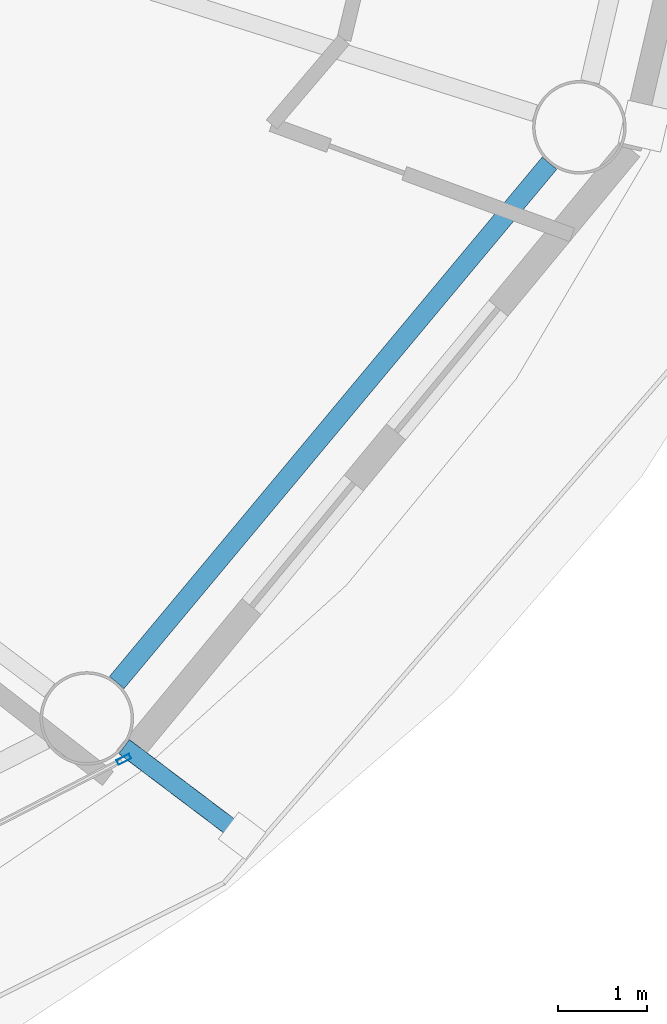
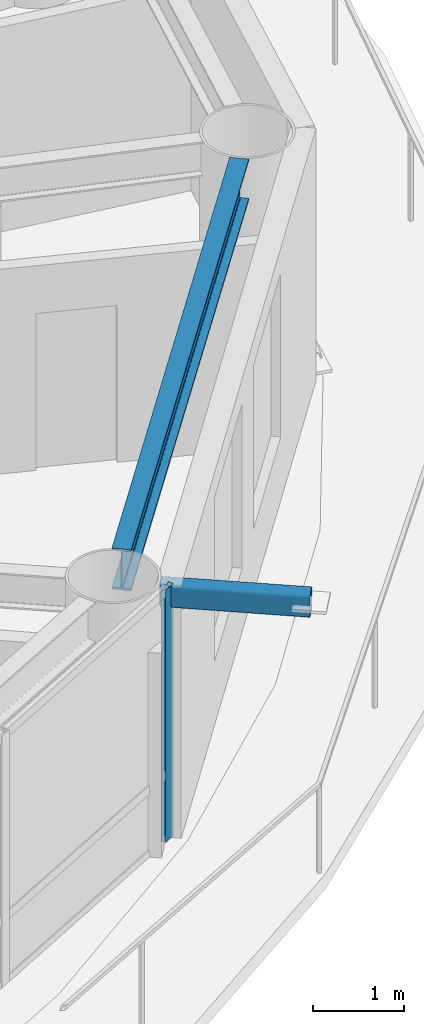
# One storey, part 7 of 30: 2 members, 1 beam, 1 element without a shape of its own.
"""IFC4 building model written with IfcOpenShell, lengths in metres."""

from ifc_helpers import new_model, si_unit, direction, frame, origin, origin_2d, place, context, subcontext, project, spatial, hollow_rectangle, i_section, extrude, material, layer, layer_set, material_profile, profile_set, type_object, element, aggregate, save


model = new_model("IFC4")

# Units and contexts
model_context = context("Model", 3, precision=1e-05, world=origin(), true_north=direction((0.0, 1.0)))
body_context = subcontext(model_context, "Body", "Model", "MODEL_VIEW")
ifc_project = project(units=[si_unit("LENGTHUNIT", "METRE"), si_unit("AREAUNIT", "SQUARE_METRE"), si_unit("VOLUMEUNIT", "CUBIC_METRE"), si_unit("PLANEANGLEUNIT", "RADIAN"), si_unit("MASSUNIT", "GRAM", prefix="KILO")], contexts=[model_context])

# Site, building, storey
site_placement = place(None, origin())
site = spatial("IfcSite", under=ifc_project, at=site_placement, CompositionType="ELEMENT")
building_placement = place(site_placement, origin())
building = spatial("IfcBuilding", under=site, at=building_placement, Name="Sarneth Arch Tower", CompositionType="ELEMENT")
storey_placement = place(building_placement, frame((0.0, 0.0, 168.60009765625)))
storey = spatial("IfcBuildingStorey", under=building, at=storey_placement, Name="L42", CompositionType="ELEMENT", Elevation=168.60009765625)

# Beam
ifc_material_1 = material(Name="Steel S355", Category="steel")
ifc_material_profile_1 = material_profile(ifc_material_1, i_section(OverallWidth=0.214111328125, OverallDepth=0.549072265625, WebThickness=0.0146484375, FlangeThickness=0.023681640625, FilletRadius=0.01806640625, at=origin_2d()), Name="W530x138")
ifc_profile_set_1 = profile_set([ifc_material_profile_1], Name="Steel S355")
beam_type = type_object("IfcBeamType", Name="BM-RAD-530A", PredefinedType="BEAM", material=ifc_profile_set_1)
beam_placement = place(storey_placement, frame((67.469970703125, 27.943115234375, 3.10546875), z_axis=(0.640171737024, 0.768231831621, 0.0), x_axis=(-0.768231831621, 0.640171737024, 0.0)))
element("IfcBeam", 1, at=beam_placement, inside=storey, type_object=beam_type, Name="L42 Perimeter spandrel beam 15", PredefinedType="BEAM", context=body_context, shape_type="SweptSolid", body=[
    extrude(i_section(OverallWidth=0.214111328125, OverallDepth=0.549072265625, WebThickness=0.0146484375, FlangeThickness=0.023681640625, FilletRadius=0.01806640625, at=origin_2d()), origin(), (0.0, 0.0, 1.0), 7.585693359375),
])

# Curtain wall, member
ifc_material_2 = material(Name="Anodised aluminium Type AA25 and solar-control low-e laminated IGU", Category="aluminium")
ifc_layer = layer(ifc_material_2, 0.169921875)
ifc_layer_set = layer_set([ifc_layer], Name="Anodised aluminium Type AA25 and solar-control low-e laminated IGU")
curtain_wall_type = type_object("IfcCurtainWallType", Name="CW-RES-MID", PredefinedType="NOTDEFINED", material=ifc_layer_set)
curtain_wall_placement = place(storey_placement, origin())
curtain_wall = element("IfcCurtainWall", 2, at=curtain_wall_placement, inside=storey, type_object=curtain_wall_type, Name="L42 Unitised curtain wall facet 14", PredefinedType="NOTDEFINED")
ifc_material_3 = material(Name="Anodised Aluminium 6063-T6", Category="aluminium")
ifc_material_profile_2 = material_profile(ifc_material_3, hollow_rectangle(XDim=0.06005859375, YDim=0.159912109375, WallThickness=0.00390625, at=origin_2d()), Name="AL-MULL-160x60x4")
ifc_profile_set_2 = profile_set([ifc_material_profile_2], Name="Anodised Aluminium 6063-T6")
member_type_1 = type_object("IfcMemberType", Name="CW-MULLION", PredefinedType="MULLION", material=ifc_profile_set_2)
member_1_placement = place(storey_placement, frame((67.549560546875, 27.08056640625, 0.0), z_axis=(0.0, 0.0, 1.0), x_axis=(-0.456208470329, 0.88987293003, 0.0)))
member_1 = element("IfcMember", 3, at=member_1_placement, type_object=member_type_1, Name="CW-SYS-5 mullion 4", PredefinedType="MULLION", context=body_context, shape_type="SweptSolid", body=[
    extrude(hollow_rectangle(XDim=0.06005859375, YDim=0.159912109375, WallThickness=0.00390625, at=origin_2d()), origin(), (0.0, 0.0, 1.0), 3.3798828125),
])
aggregate(curtain_wall, [member_1])

# Member
ifc_material_4 = material(Name="Steel S355", Category="steel")
ifc_material_profile_3 = material_profile(ifc_material_4, hollow_rectangle(XDim=0.199951171875, YDim=0.300048828125, WallThickness=0.012451171875, InnerFilletRadius=0.018798828125, OuterFilletRadius=0.03125, at=origin_2d()), Name="RHS300x200x12.5")
ifc_profile_set_3 = profile_set([ifc_material_profile_3], Name="Steel S355")
member_type_2 = type_object("IfcMemberType", Name="MEM-CANT-STRUT", PredefinedType="STRUT", material=ifc_profile_set_3)
member_2_placement = place(storey_placement, frame((67.552734375, 27.22314453125, 3.219970703125), z_axis=(0.797787094943, -0.602939259912, 0.0), x_axis=(0.602939259912, 0.797787094943, 0.0)))
element("IfcMember", 4, at=member_2_placement, inside=storey, type_object=member_type_2, Name="L42 Balcony cantilever bracket 15", PredefinedType="STRUT", context=body_context, shape_type="SweptSolid", body=[
    extrude(hollow_rectangle(XDim=0.199951171875, YDim=0.300048828125, WallThickness=0.012451171875, InnerFilletRadius=0.018798828125, OuterFilletRadius=0.03125, at=origin_2d()), origin(), (0.0, 0.0, 1.0), 1.658935546875),
])

save(model, "model.ifc")
